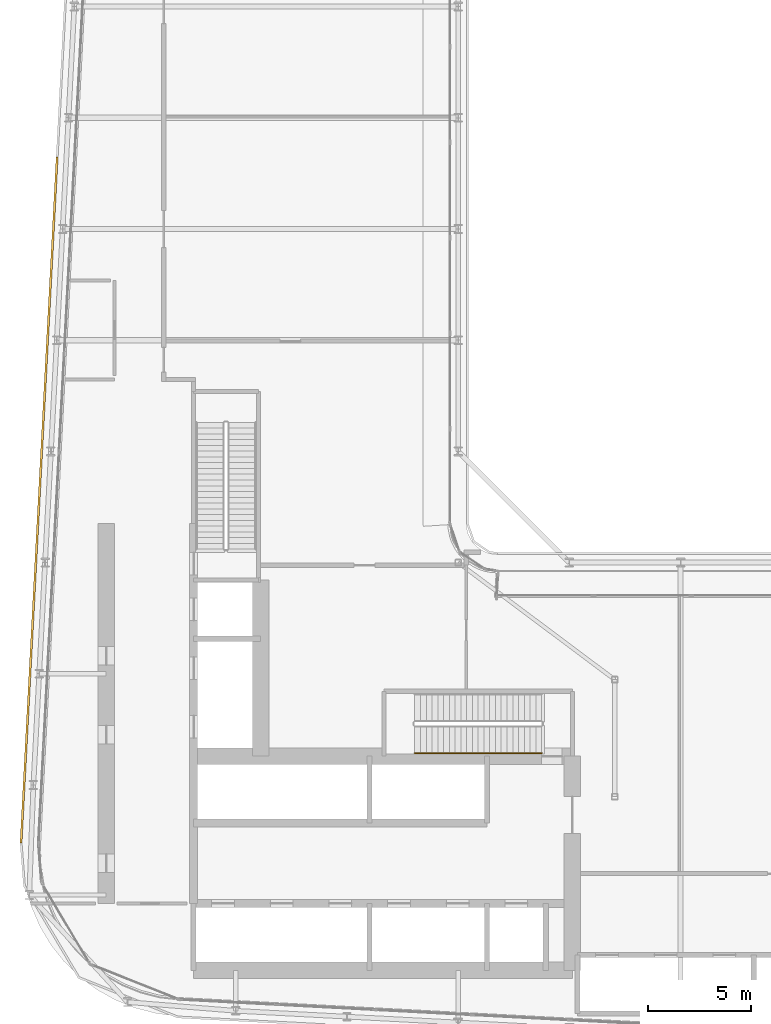
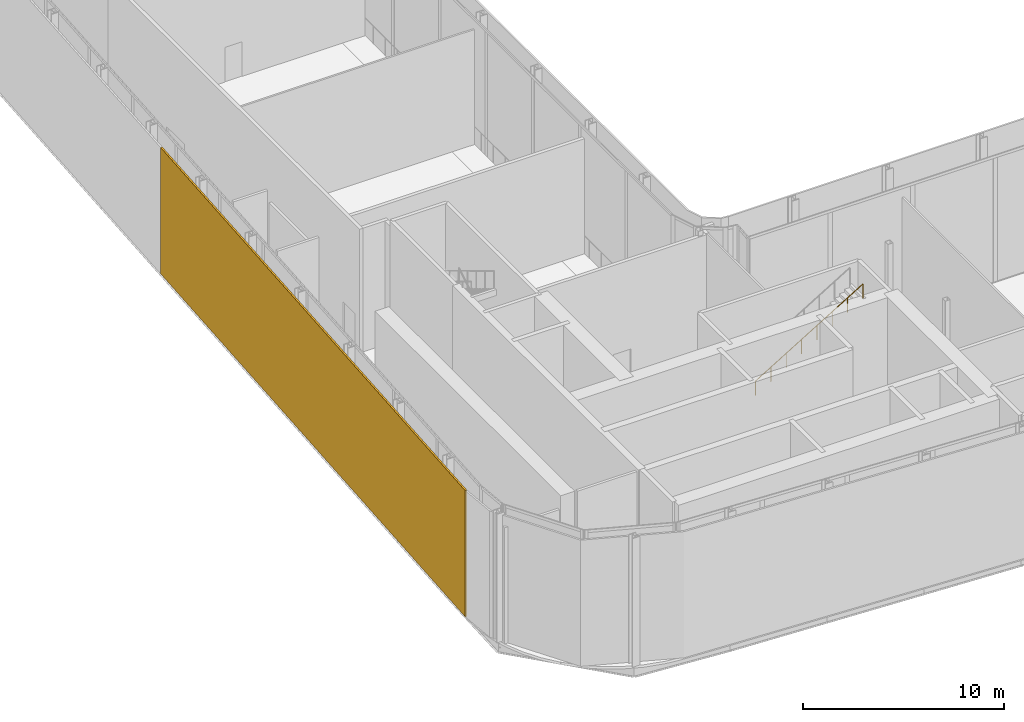
# One storey, part 31 of 37: 1 railing, 1 shading device.
"""IFC4 building model written with IfcOpenShell, lengths in metres."""

from ifc_helpers import new_model, si_unit, direction, frame, origin, origin_2d, place, context, subcontext, project, spatial, rectangle, circle, extrude, material, layer, layer_set, type_object, element, save


model = new_model("IFC4")

# Units and contexts
model_context = context("Model", 3, precision=1e-05, world=origin(), true_north=direction((0.0, 1.0)))
body_context = subcontext(model_context, "Body", "Model", "MODEL_VIEW")
ifc_project = project(units=[si_unit("LENGTHUNIT", "METRE"), si_unit("AREAUNIT", "SQUARE_METRE"), si_unit("VOLUMEUNIT", "CUBIC_METRE"), si_unit("PLANEANGLEUNIT", "RADIAN"), si_unit("MASSUNIT", "GRAM", prefix="KILO")], contexts=[model_context])

# Site, building, storey
site_placement = place(None, origin())
site = spatial("IfcSite", under=ifc_project, at=site_placement, CompositionType="ELEMENT")
building_placement = place(site_placement, origin())
building = spatial("IfcBuilding", under=site, at=building_placement, Name="Kheshtan School and Residences Tower", CompositionType="ELEMENT")
storey_placement = place(building_placement, frame((0.0, 0.0, 144.800048828125)))
storey = spatial("IfcBuildingStorey", under=building, at=storey_placement, Name="L34", CompositionType="ELEMENT", Elevation=144.800048828125)

# Shading device
ifc_material_1 = material(Name="Terracotta baguette, extruded ceramic", Category="masonry")
ifc_layer = layer(ifc_material_1, 0.10009765625)
ifc_layer_set = layer_set([ifc_layer], Name="Ledge screen, terracotta baguettes")
shading_device_type = type_object("IfcShadingDeviceType", Name="Ledge screen, terracotta baguettes", PredefinedType="USERDEFINED", material=ifc_layer_set)
shading_device_placement = place(storey_placement, frame((27.24609375, 48.638916015625, 0.0), z_axis=(0.0, 0.0, 1.0), x_axis=(0.052562536748, 0.998617634398, 0.0)))
element("IfcShadingDevice", 1, at=shading_device_placement, inside=storey, type_object=shading_device_type, Name="Screen L34 6", ObjectType="BAGUETTE", PredefinedType="USERDEFINED", context=body_context, shape_type="SweptSolid", body=[
    extrude(rectangle(XDim=33.341064453125, YDim=0.10009765625, at=origin_2d()), origin(), (0.0, 0.0, 1.0), 7.64990234375),
])

# Railing
ifc_material_2 = material(Name="Stainless steel handrail", Category="steel")
railing_type = type_object("IfcRailingType", Name="Stair handrail 900", PredefinedType="HANDRAIL", material=ifc_material_2)
railing_placement = place(storey_placement, frame((45.489990234375, 36.35009765625, 4.069580078125)))
element("IfcRailing", 2, at=railing_placement, inside=storey, type_object=railing_type, Name="L34 ST1 stair handrail 2", PredefinedType="HANDRAIL", context=body_context, shape_type="SweptSolid", body=[
    extrude(circle(Radius=0.02392578125, at=origin_2d()), frame((0.0, 0.0, 0.8759765625), z_axis=(0.855370820849, 0.0, 0.518016176234), x_axis=(0.0, 1.0, 0.0)), (0.0, 0.0, 1.0), 7.201416015625),
    extrude(circle(Radius=0.02099609375, at=origin_2d()), origin(), (0.0, 0.0, 1.0), 0.851806640625),
    extrude(circle(Radius=0.02099609375, at=origin_2d()), frame((0.8798828125, 0.0, 0.532958984375)), (0.0, 0.0, 1.0), 0.851806640625),
    extrude(circle(Radius=0.02099609375, at=origin_2d()), frame((1.760009765625, 0.0, 1.06591796875)), (0.0, 0.0, 1.0), 0.851806640625),
    extrude(circle(Radius=0.02099609375, at=origin_2d()), frame((2.639892578125, 0.0, 1.598876953125)), (0.0, 0.0, 1.0), 0.851806640625),
    extrude(circle(Radius=0.02099609375, at=origin_2d()), frame((3.52001953125, 0.0, 2.131591796875)), (0.0, 0.0, 1.0), 0.851806640625),
    extrude(circle(Radius=0.02099609375, at=origin_2d()), frame((4.39990234375, 0.0, 2.66455078125)), (0.0, 0.0, 1.0), 0.851806640625),
    extrude(circle(Radius=0.02099609375, at=origin_2d()), frame((5.280029296875, 0.0, 3.197509765625)), (0.0, 0.0, 1.0), 0.851806640625),
    extrude(circle(Radius=0.02099609375, at=origin_2d()), frame((6.159912109375, 0.0, 3.73046875)), (0.0, 0.0, 1.0), 0.851806640625),
])

save(model, "model.ifc")
